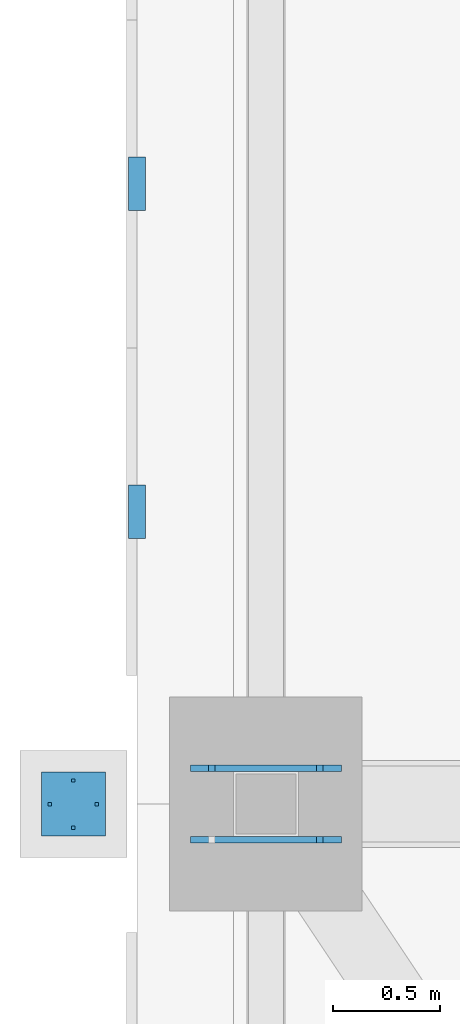
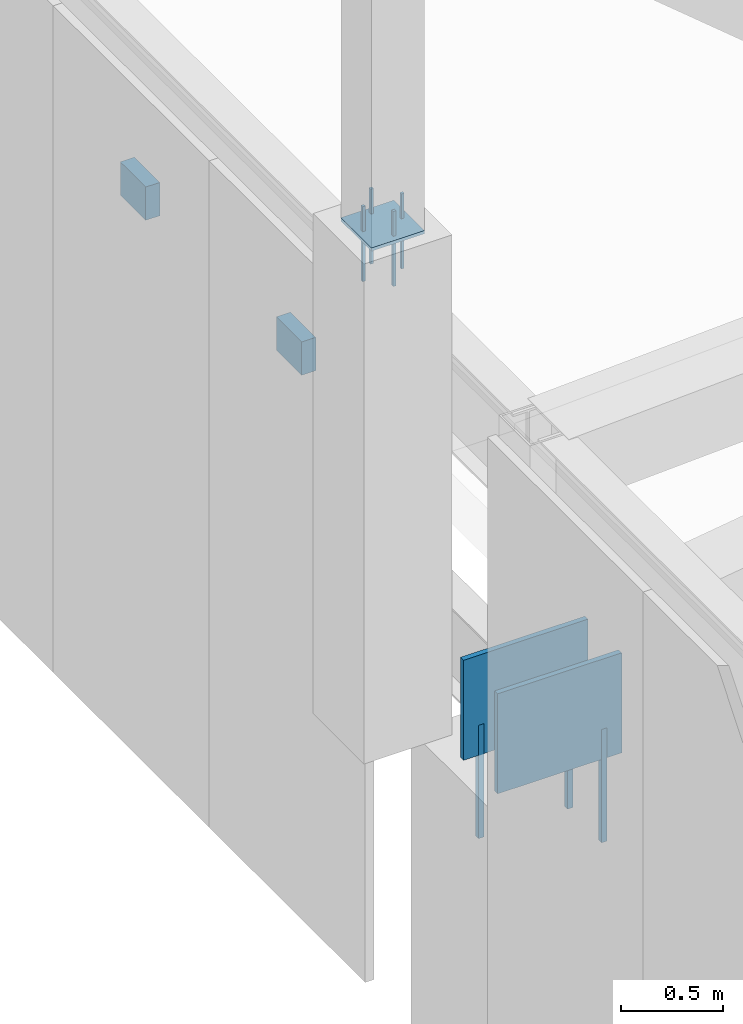
# One storey, part 153 of 278: 7 mechanical fasteners, 5 discrete accessories.
"""IFC4 building model written with IfcOpenShell, lengths in metres."""

from ifc_helpers import new_model, si_unit, direction, frame, origin, origin_2d, place, context, subcontext, project, spatial, rectangle, extrude, material, layer, layer_set, type_object, element, save


model = new_model("IFC4")

# Units and contexts
model_context = context("Model", 3, precision=1e-05, world=origin(), true_north=direction((0.0, 1.0)))
body_context = subcontext(model_context, "Body", "Model", "MODEL_VIEW")
ifc_project = project(units=[si_unit("LENGTHUNIT", "METRE"), si_unit("AREAUNIT", "SQUARE_METRE"), si_unit("VOLUMEUNIT", "CUBIC_METRE"), si_unit("PLANEANGLEUNIT", "RADIAN"), si_unit("MASSUNIT", "GRAM", prefix="KILO")], contexts=[model_context])

# Site, building, storey
site_placement = place(None, origin())
site = spatial("IfcSite", under=ifc_project, at=site_placement, CompositionType="ELEMENT")
building_placement = place(site_placement, origin())
building = spatial("IfcBuilding", under=site, at=building_placement, Name="Ogive Plaza Stadium", CompositionType="ELEMENT")
storey_placement = place(building_placement, frame((0.0, 0.0, 29.0)))
storey = spatial("IfcBuildingStorey", under=building, at=storey_placement, Name="Roof", CompositionType="ELEMENT", Elevation=29.0)

# Mechanical fasteners
ifc_material_1 = material(Name="Steel ASTM A992 Grade 50", Category="steel")
mechanical_fastener_type_1 = type_object("IfcMechanicalFastenerType", Name="Anchor bolt M30 x 600", PredefinedType="ANCHORBOLT", material=ifc_material_1)
for number, where, z_axis, x_axis, name in (
    (1, (-83.74755859375, -22.66650390625, 3.0), (0.0, 0.0, 1.0), (-1.0, 0.0, 0.0), "ANCHOR BOLT 23 BF 1.2"),
    (2, (-84.25244140625, -22.33349609375, 3.0), (0.0, 0.0, 1.0), (-1.0, 0.0, 0.0), "ANCHOR BOLT 23 BF 2.1"),
    (3, (-83.74755859375, -22.33349609375, 3.0), (0.0, 0.0, 1.0), (-1.0, 0.0, 0.0), "ANCHOR BOLT 23 BF 2.2"),
):
    element("IfcMechanicalFastener", number, at=place(storey_placement, frame(where, z_axis=z_axis, x_axis=x_axis)), inside=storey, type_object=mechanical_fastener_type_1, Name=name, PredefinedType="ANCHORBOLT", context=body_context, shape_type="SweptSolid", body=[
        extrude(rectangle(XDim=0.030029296875, YDim=0.030029296875, at=origin_2d()), origin(), (0.0, 0.0, 1.0), 0.679931640625),
    ])
ifc_material_2 = material(Name="Steel ASTM A992 Grade 50", Category="steel")
mechanical_fastener_type_2 = type_object("IfcMechanicalFastenerType", Name="Spire anchor bolt M16 x 450", PredefinedType="ANCHORBOLT", material=ifc_material_2)
for number, where, z_axis, x_axis, name in (
    (4, (-85.010009765625, -22.5, 6.7001953125), (0.0, 0.0, 1.0), (-1.0, 0.0, 0.0), "SPIRE ANCHOR BOLT 23 1"),
    (5, (-84.7900390625, -22.5, 6.7001953125), (0.0, 0.0, 1.0), (-1.0, 0.0, 0.0), "SPIRE ANCHOR BOLT 23 2"),
    (6, (-84.89990234375, -22.610107421875, 6.7001953125), (0.0, 0.0, 1.0), (-1.0, 0.0, 0.0), "SPIRE ANCHOR BOLT 23 3"),
    (7, (-84.89990234375, -22.389892578125, 6.7001953125), (0.0, 0.0, 1.0), (-1.0, 0.0, 0.0), "SPIRE ANCHOR BOLT 23 4"),
):
    element("IfcMechanicalFastener", number, at=place(storey_placement, frame(where, z_axis=z_axis, x_axis=x_axis)), inside=storey, type_object=mechanical_fastener_type_2, Name=name, PredefinedType="ANCHORBOLT", context=body_context, shape_type="SweptSolid", body=[
        extrude(rectangle(XDim=0.01611328125, YDim=0.01611328125, at=origin_2d()), origin(), (0.0, 0.0, 1.0), 0.449951171875),
    ])

# Discrete accessories
ifc_material_3 = material(Name="Steel ASTM A992 Grade 50", Category="steel")
ifc_layer_1 = layer(ifc_material_3, 0.02001953125)
ifc_layer_set_1 = layer_set([ifc_layer_1], Name="Steel ASTM A992 Grade 50")
discrete_accessory_type_1 = type_object("IfcDiscreteAccessoryType", Name="Spire seat plate 20", PredefinedType="ANCHORPLATE", material=ifc_layer_set_1)
discrete_accessory_placement = place(storey_placement, frame((-84.89990234375, -22.5, 6.98095703125), z_axis=(0.0, 0.0, 1.0), x_axis=(-1.0, 0.0, 0.0)))
element("IfcDiscreteAccessory", 8, at=discrete_accessory_placement, inside=storey, type_object=discrete_accessory_type_1, Name="SPIRE SEAT PLATE 23", PredefinedType="ANCHORPLATE", context=body_context, shape_type="SweptSolid", body=[
    extrude(rectangle(XDim=0.300048828125, YDim=0.300048828125, at=origin_2d()), origin(), (0.0, 0.0, 1.0), 0.02001953125),
])
ifc_material_4 = material(Name="Steel ASTM A572 Grade 50", Category="steel")
ifc_layer_2 = layer(ifc_material_4, 0.080078125)
ifc_layer_set_2 = layer_set([ifc_layer_2], Name="Steel ASTM A572 Grade 50")
discrete_accessory_type_2 = type_object("IfcDiscreteAccessoryType", Name="Tracery screen bracket 250x200", PredefinedType="BRACKET", material=ifc_layer_set_2)
for number, where, z_axis, x_axis, name in (
    (9, (-84.602294921875, -21.13330078125, 5.25), (0.0, 0.0, 1.0), (0.0, 1.0, 0.0), "TRACERY SCREEN BRACKET B23 1"),
    (10, (-84.602294921875, -19.60009765625, 5.25), (0.0, 0.0, 1.0), (0.0, 1.0, 0.0), "TRACERY SCREEN BRACKET B23 2"),
):
    element("IfcDiscreteAccessory", number, at=place(storey_placement, frame(where, z_axis=z_axis, x_axis=x_axis)), inside=storey, type_object=discrete_accessory_type_2, Name=name, PredefinedType="BRACKET", context=body_context, shape_type="SweptSolid", body=[
        extrude(rectangle(XDim=0.25, YDim=0.080078125, at=origin_2d()), origin(), (0.0, 0.0, 1.0), 0.199951171875),
    ])
ifc_material_5 = material(Name="Steel ASTM A992 Grade 50", Category="steel")
ifc_layer_3 = layer(ifc_material_5, 0.030029296875)
ifc_layer_set_3 = layer_set([ifc_layer_3], Name="Steel ASTM A992 Grade 50")
discrete_accessory_type_3 = type_object("IfcDiscreteAccessoryType", Name="Truss back-stay foot cleat plate 30", PredefinedType="ANCHORPLATE", material=ifc_layer_set_3)
for number, where, z_axis, x_axis, name in (
    (11, (-84.0, -22.66650390625, 3.5), (0.0, 0.0, 1.0), (-1.0, 0.0, 0.0), "TRUSS BACK-STAY FOOT CLEAT PLATE 23 1"),
    (12, (-84.0, -22.33349609375, 3.5), (0.0, 0.0, 1.0), (-1.0, 0.0, 0.0), "TRUSS BACK-STAY FOOT CLEAT PLATE 23 2"),
):
    element("IfcDiscreteAccessory", number, at=place(storey_placement, frame(where, z_axis=z_axis, x_axis=x_axis)), inside=storey, type_object=discrete_accessory_type_3, Name=name, PredefinedType="ANCHORPLATE", context=body_context, shape_type="SweptSolid", body=[
        extrude(rectangle(XDim=0.704833984375, YDim=0.030029296875, at=origin_2d()), origin(), (0.0, 0.0, 1.0), 0.60009765625),
    ])

save(model, "model.ifc")
